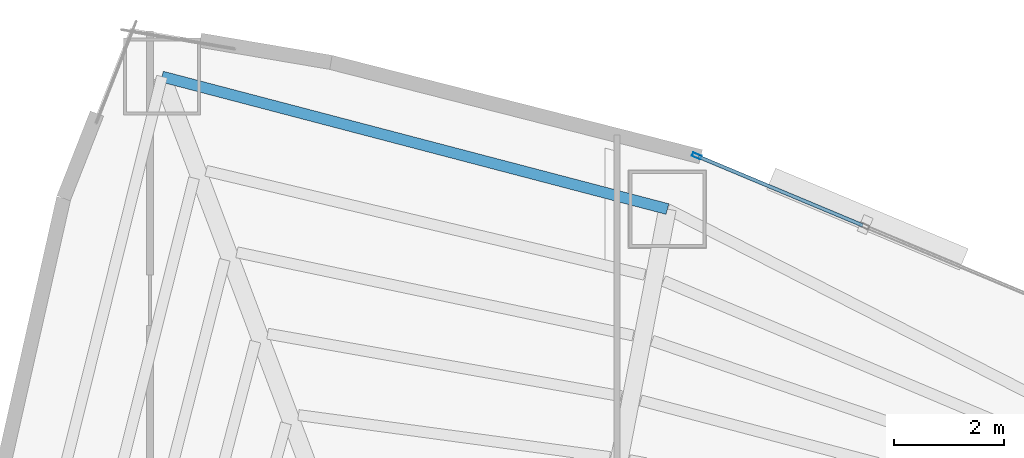
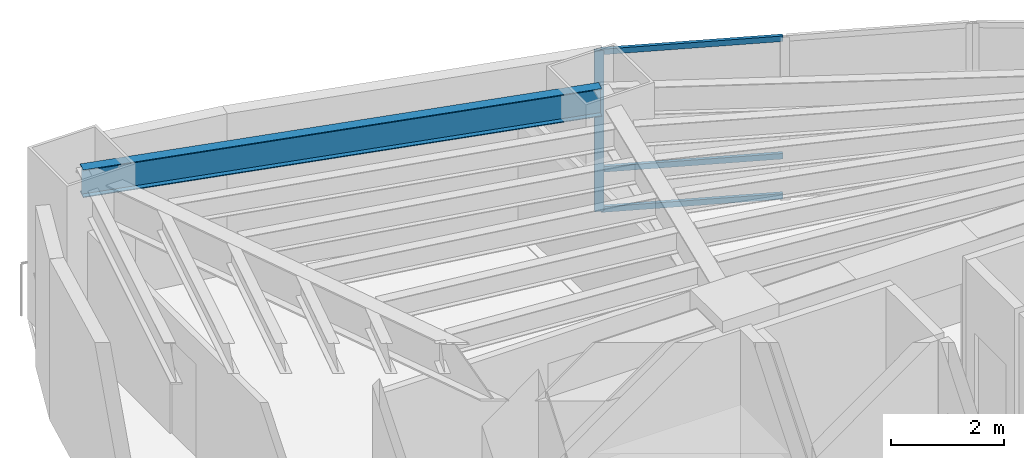
# One storey, part 9 of 17: 4 members, 1 beam, 1 element without a shape of its own.
"""IFC4 building model written with IfcOpenShell, lengths in metres."""

from ifc_helpers import new_model, si_unit, direction, frame, origin, origin_2d, place, context, subcontext, project, spatial, hollow_rectangle, i_section, extrude, material, layer, layer_set, material_profile, profile_set, type_object, element, aggregate, save


model = new_model("IFC4")

# Units and contexts
model_context = context("Model", 3, precision=1e-05, world=origin(), true_north=direction((0.0, 1.0)))
body_context = subcontext(model_context, "Body", "Model", "MODEL_VIEW")
ifc_project = project(units=[si_unit("LENGTHUNIT", "METRE"), si_unit("AREAUNIT", "SQUARE_METRE"), si_unit("VOLUMEUNIT", "CUBIC_METRE"), si_unit("PLANEANGLEUNIT", "RADIAN"), si_unit("MASSUNIT", "GRAM", prefix="KILO")], contexts=[model_context])

# Site, building, storey
site_placement = place(None, origin())
site = spatial("IfcSite", under=ifc_project, at=site_placement, CompositionType="ELEMENT")
building_placement = place(site_placement, origin())
building = spatial("IfcBuilding", under=site, at=building_placement, Name="Menara Vayukalpa", CompositionType="ELEMENT")
storey_placement = place(building_placement, frame((0.0, 0.0, 38.760009765625)))
storey = spatial("IfcBuildingStorey", under=building, at=storey_placement, Name="L08", CompositionType="ELEMENT", Elevation=38.760009765625)

# Beam
ifc_material_1 = material(Name="Steel S355", Category="steel")
ifc_material_profile_1 = material_profile(ifc_material_1, i_section(OverallWidth=0.199951171875, OverallDepth=0.60009765625, WebThickness=0.010986328125, FlangeThickness=0.01708984375, at=origin_2d()), Name="WF 600x200x11x17")
ifc_profile_set_1 = profile_set([ifc_material_profile_1], Name="Steel S355")
beam_type = type_object("IfcBeamType", Name="BM-SP1", PredefinedType="SPANDREL", material=ifc_profile_set_1)
beam_placement = place(storey_placement, frame((23.41943359375, 33.9228515625, 3.169921875), z_axis=(-0.967331024421, 0.253516644802, 0.0), x_axis=(-0.253516644802, -0.967331024421, 0.0)))
element("IfcBeam", 1, at=beam_placement, inside=storey, type_object=beam_type, Name="L08 Perimeter Spandrel Beam SP03", PredefinedType="SPANDREL", context=body_context, shape_type="SweptSolid", body=[
    extrude(i_section(OverallWidth=0.199951171875, OverallDepth=0.60009765625, WebThickness=0.010986328125, FlangeThickness=0.01708984375, at=origin_2d()), origin(), (0.0, 0.0, 1.0), 9.5126953125),
])

# Curtain wall, members
ifc_material_2 = material(Name="Anodised Terracotta Aluminium Alloy 6063-T6", Category="masonry")
ifc_layer = layer(ifc_material_2, 0.1650390625)
ifc_layer_set = layer_set([ifc_layer], Name="Anodised Terracotta Aluminium Alloy 6063-T6")
curtain_wall_type = type_object("IfcCurtainWallType", Name="CW-CW2", PredefinedType="USERDEFINED", material=ifc_layer_set)
curtain_wall_placement = place(storey_placement, origin())
curtain_wall = element("IfcCurtainWall", 2, at=curtain_wall_placement, inside=storey, type_object=curtain_wall_type, Name="L08 Low Rise Terracotta Ribbon Curtain Wall CW2 05", ObjectType="UNITISED", PredefinedType="USERDEFINED")
ifc_material_3 = material(Name="Anodised Terracotta Aluminium Alloy 6063-T6", Category="masonry")
ifc_material_profile_2 = material_profile(ifc_material_3, hollow_rectangle(XDim=0.070068359375, YDim=0.1650390625, WallThickness=0.00390625, at=origin_2d()), Name="ALU 70x165x4")
ifc_profile_set_2 = profile_set([ifc_material_profile_2], Name="Anodised Terracotta Aluminium Alloy 6063-T6")
member_type_1 = type_object("IfcMemberType", Name="CWM-CW2", PredefinedType="MULLION", material=ifc_profile_set_2)
member_1_placement = place(storey_placement, frame((23.950927734375, 34.889404296875, 0.0), z_axis=(0.0, 0.0, 1.0), x_axis=(-0.385895120445, -0.922542658101, 0.0)))
member_1 = element("IfcMember", 3, at=member_1_placement, type_object=member_type_1, Name="CW2 mullion 3", PredefinedType="MULLION", context=body_context, shape_type="SweptSolid", body=[
    extrude(hollow_rectangle(XDim=0.070068359375, YDim=0.1650390625, WallThickness=0.00390625, at=origin_2d()), origin(), (0.0, 0.0, 1.0), 3.469970703125),
])
ifc_material_4 = material(Name="Anodised Terracotta Aluminium Alloy 6063-T6", Category="masonry")
ifc_material_profile_3 = material_profile(ifc_material_4, hollow_rectangle(XDim=0.06494140625, YDim=0.1201171875, WallThickness=0.00341796875, at=origin_2d()), Name="ALU 65x120x3.5")
ifc_profile_set_3 = profile_set([ifc_material_profile_3], Name="Anodised Terracotta Aluminium Alloy 6063-T6")
member_type_2 = type_object("IfcMemberType", Name="CWT-CW2", PredefinedType="USERDEFINED", material=ifc_profile_set_3)
member_2_placement = place(storey_placement, frame((26.974609375, 33.624755859375, 0.032470703125), z_axis=(-0.922552588381, 0.385871379699, 0.0), x_axis=(-0.385871379699, -0.922552588381, 0.0)))
member_2 = element("IfcMember", 4, at=member_2_placement, type_object=member_type_2, Name="CW2 transom 2.1", ObjectType="TRANSOM", PredefinedType="USERDEFINED", context=body_context, shape_type="SweptSolid", body=[
    extrude(hollow_rectangle(XDim=0.06494140625, YDim=0.1201171875, WallThickness=0.00341796875, at=origin_2d()), origin(), (0.0, 0.0, 1.0), 3.24267578125),
])
member_3_placement = place(storey_placement, frame((26.974609375, 33.624755859375, 0.89990234375), z_axis=(-0.922552588381, 0.385871379699, 0.0), x_axis=(-0.385871379699, -0.922552588381, 0.0)))
member_3 = element("IfcMember", 5, at=member_3_placement, type_object=member_type_2, Name="CW2 transom 2.2", ObjectType="TRANSOM", PredefinedType="USERDEFINED", context=body_context, shape_type="SweptSolid", body=[
    extrude(hollow_rectangle(XDim=0.06494140625, YDim=0.1201171875, WallThickness=0.00341796875, at=origin_2d()), origin(), (0.0, 0.0, 1.0), 3.24267578125),
])
member_4_placement = place(storey_placement, frame((26.974609375, 33.624755859375, 3.4375), z_axis=(-0.922552588381, 0.385871379699, 0.0), x_axis=(-0.385871379699, -0.922552588381, 0.0)))
member_4 = element("IfcMember", 6, at=member_4_placement, type_object=member_type_2, Name="CW2 transom 2.3", ObjectType="TRANSOM", PredefinedType="USERDEFINED", context=body_context, shape_type="SweptSolid", body=[
    extrude(hollow_rectangle(XDim=0.06494140625, YDim=0.1201171875, WallThickness=0.00341796875, at=origin_2d()), origin(), (0.0, 0.0, 1.0), 3.24267578125),
])
aggregate(curtain_wall, [member_1, member_2, member_3, member_4])

save(model, "model.ifc")
